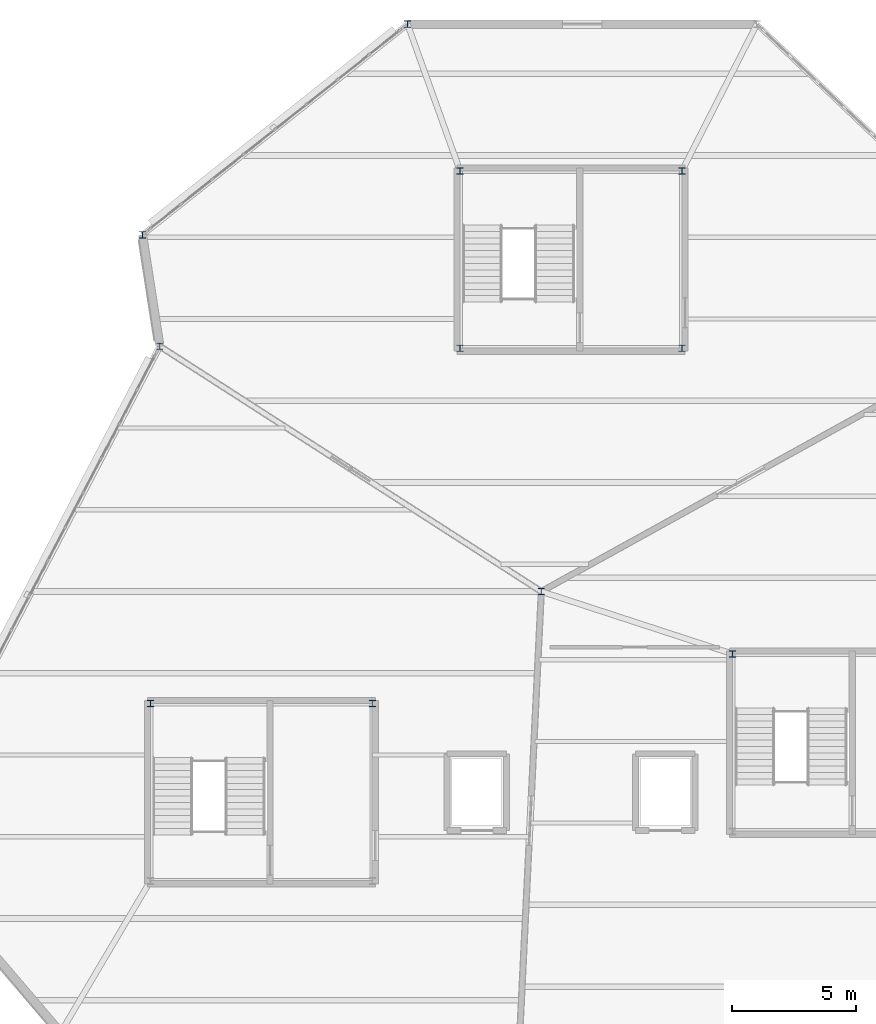
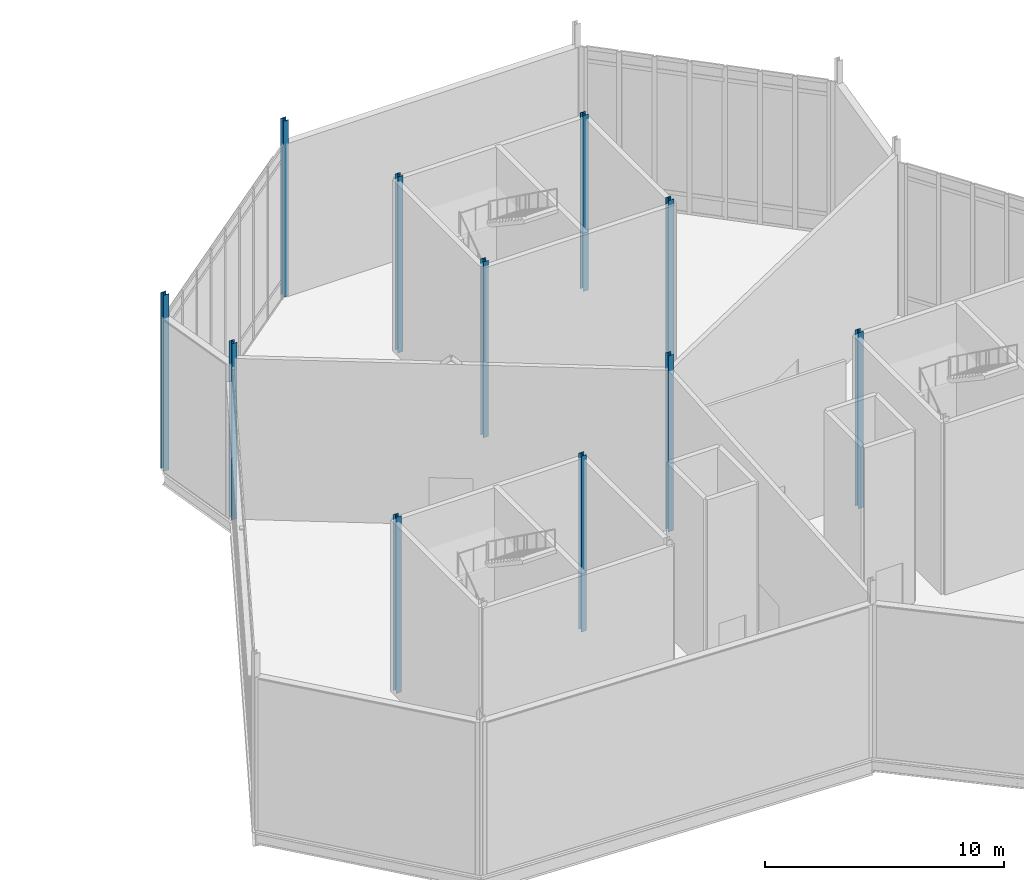
# One storey, part 7 of 66: 11 columns.
"""IFC4 building model written with IfcOpenShell, lengths in metres."""

from ifc_helpers import new_model, si_unit, direction, frame, origin, origin_2d, place, context, subcontext, project, spatial, i_section, extrude, material, material_profile, profile_set, type_object, element, save


model = new_model("IFC4")

# Units and contexts
model_context = context("Model", 3, precision=1e-05, world=origin(), true_north=direction((0.0, 1.0)))
body_context = subcontext(model_context, "Body", "Model", "MODEL_VIEW")
ifc_project = project(units=[si_unit("LENGTHUNIT", "METRE"), si_unit("AREAUNIT", "SQUARE_METRE"), si_unit("VOLUMEUNIT", "CUBIC_METRE"), si_unit("PLANEANGLEUNIT", "RADIAN"), si_unit("MASSUNIT", "GRAM", prefix="KILO")], contexts=[model_context])

# Site, building, storey
site_placement = place(None, origin())
site = spatial("IfcSite", under=ifc_project, at=site_placement, CompositionType="ELEMENT")
building_placement = place(site_placement, origin())
building = spatial("IfcBuilding", under=site, at=building_placement, Name="Tameran Prism Museum", CompositionType="ELEMENT")
storey_placement = place(building_placement, frame((0.0, 0.0, 19.800048828125)))
storey = spatial("IfcBuildingStorey", under=building, at=storey_placement, Name="L04", CompositionType="ELEMENT", Elevation=19.800048828125)

# Columns
ifc_material = material(Name="Steel Grade 300PLUS (300 MPa)", Category="steel")
ifc_material_profile = material_profile(ifc_material, i_section(OverallWidth=0.256103515625, OverallDepth=0.260009765625, WebThickness=0.010498046875, FlangeThickness=0.017333984375, FilletRadius=0.0126953125, at=origin_2d()))
ifc_profile_set = profile_set([ifc_material_profile])
column_type = type_object("IfcColumnType", Name="COL-UC250A", PredefinedType="COLUMN", material=ifc_profile_set)
for number, where, z_axis, x_axis, name in (
    (1, (102.699951171875, 103.5, 0.0), (0.0, 0.0, 1.0), (1.0, 0.0, 0.0), "Column CV-42 L04"),
    (2, (103.39990234375, 99.0, 0.0), (0.0, 0.0, 1.0), (1.0, 0.0, 0.0), "Column CV-43 L04"),
    (3, (113.39990234375, 112.0, 0.0), (0.0, 0.0, 1.0), (1.0, 0.0, 0.0), "Column CV-45 L04"),
    (4, (118.800048828125, 89.10009765625, 0.0), (0.0, 0.0, 1.0), (1.0, 0.0, 0.0), "Column CV-47 L04"),
    (5, (111.97998046875, 84.580078125, 0.0), (0.0, 0.0, 1.0), (1.0, 0.0, 0.0), "Column CC-1-3 L04"),
    (6, (103.02001953125, 84.580078125, 0.0), (0.0, 0.0, 1.0), (1.0, 0.0, 0.0), "Column CC-1-4 L04"),
    (7, (126.52001953125, 86.580078125, 0.0), (0.0, 0.0, 1.0), (1.0, 0.0, 0.0), "Column CC-2-4 L04"),
    (8, (115.52001953125, 98.919921875, 0.0), (0.0, 0.0, 1.0), (1.0, 0.0, 0.0), "Column CC-7-1 L04"),
    (9, (124.47998046875, 98.919921875, 0.0), (0.0, 0.0, 1.0), (1.0, 0.0, 0.0), "Column CC-7-2 L04"),
    (10, (124.47998046875, 106.080078125, 0.0), (0.0, 0.0, 1.0), (1.0, 0.0, 0.0), "Column CC-7-3 L04"),
    (11, (115.52001953125, 106.080078125, 0.0), (0.0, 0.0, 1.0), (1.0, 0.0, 0.0), "Column CC-7-4 L04"),
):
    element("IfcColumn", number, at=place(storey_placement, frame(where, z_axis=z_axis, x_axis=x_axis)), inside=storey, type_object=column_type, Name=name, PredefinedType="COLUMN", context=body_context, shape_type="SweptSolid", body=[
        extrude(i_section(OverallWidth=0.256103515625, OverallDepth=0.260009765625, WebThickness=0.010498046875, FlangeThickness=0.017333984375, FilletRadius=0.0126953125, at=origin_2d()), origin(), (0.0, 0.0, 1.0), 9.0),
    ])

save(model, "model.ifc")
